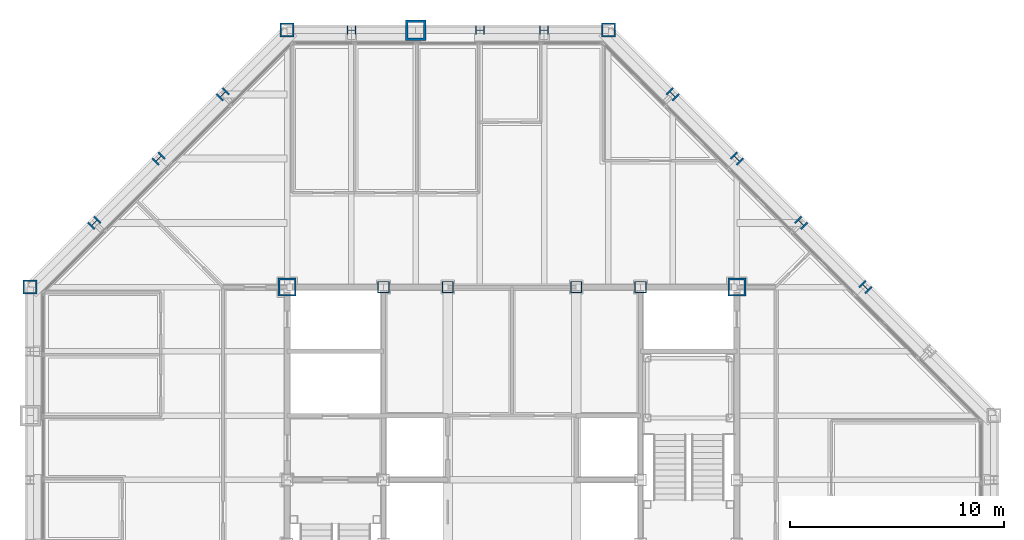
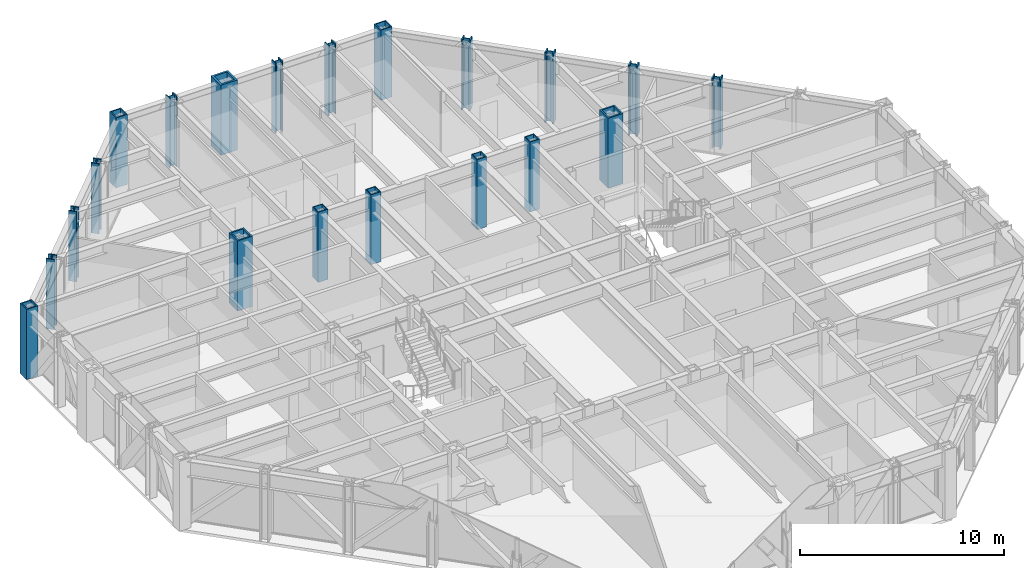
# One storey, part 4 of 16: 20 columns.
"""IFC4 building model written with IfcOpenShell, lengths in metres."""

from ifc_helpers import new_model, si_unit, direction, frame, origin, origin_2d, place, context, subcontext, project, spatial, hollow_rectangle, i_section, extrude, material, material_profile, profile_set, type_object, element, save


model = new_model("IFC4")

# Units and contexts
model_context = context("Model", 3, precision=1e-05, world=origin(), true_north=direction((0.0, 1.0)))
body_context = subcontext(model_context, "Body", "Model", "MODEL_VIEW")
ifc_project = project(units=[si_unit("LENGTHUNIT", "METRE"), si_unit("AREAUNIT", "SQUARE_METRE"), si_unit("VOLUMEUNIT", "CUBIC_METRE"), si_unit("PLANEANGLEUNIT", "RADIAN"), si_unit("MASSUNIT", "GRAM", prefix="KILO")], contexts=[model_context])

# Site, building, storey
site_placement = place(None, origin())
site = spatial("IfcSite", under=ifc_project, at=site_placement, CompositionType="ELEMENT")
building_placement = place(site_placement, origin())
building = spatial("IfcBuilding", under=site, at=building_placement, Name="Chuquiago Exchange Tower", CompositionType="ELEMENT")
storey_placement = place(building_placement, frame((0.0, 0.0, 239.10009765625)))
storey = spatial("IfcBuildingStorey", under=building, at=storey_placement, Name="L53", CompositionType="ELEMENT", Elevation=239.10009765625)

# Columns
ifc_material_1 = material(Name="Steel ASTM A992", Category="steel")
ifc_material_profile_1 = material_profile(ifc_material_1, i_section(OverallWidth=0.408935546875, OverallDepth=0.424072265625, WebThickness=0.03271484375, FlangeThickness=0.052490234375, at=origin_2d()), Name="W14X283")
ifc_profile_set_1 = profile_set([ifc_material_profile_1], Name="Steel ASTM A992")
column_type_1 = type_object("IfcColumnType", Name="C8 W14X283", PredefinedType="COLUMN", material=ifc_profile_set_1)
for number, where, z_axis, x_axis, name in (
    (1, (24.0, 45.0, 0.0), (0.0, 0.0, 1.0), (0.0, 1.0, 0.0), "COL-L53-24_45"),
    (2, (21.0, 45.0, 0.0), (0.0, 0.0, 1.0), (0.0, 1.0, 0.0), "COL-L53-21_45"),
    (3, (15.0, 45.0, 0.0), (0.0, 0.0, 1.0), (0.0, 1.0, 0.0), "COL-L53-15_45"),
):
    element("IfcColumn", number, at=place(storey_placement, frame(where, z_axis=z_axis, x_axis=x_axis)), inside=storey, type_object=column_type_1, Name=name, PredefinedType="COLUMN", context=body_context, shape_type="SweptSolid", body=[
        extrude(i_section(OverallWidth=0.408935546875, OverallDepth=0.424072265625, WebThickness=0.03271484375, FlangeThickness=0.052490234375, at=origin_2d()), origin(), (0.0, 0.0, 1.0), 4.199951171875),
    ])
ifc_material_2 = material(Name="Steel ASTM A572 Grade 50", Category="steel")
ifc_material_profile_2 = material_profile(ifc_material_2, hollow_rectangle(XDim=0.85009765625, YDim=0.85009765625, WallThickness=0.0849609375, at=origin_2d()), Name="BOX850X850X85")
ifc_profile_set_2 = profile_set([ifc_material_profile_2], Name="Steel ASTM A572 Grade 50")
column_type_2 = type_object("IfcColumnType", Name="CC6 BOX850X850X85", PredefinedType="COLUMN", material=ifc_profile_set_2)
for number, where, z_axis, x_axis, name in (
    (4, (12.0, 33.0, 0.0), (0.0, 0.0, 1.0), (1.0, 0.0, 0.0), "CCOL-L53-12_33"),
    (5, (33.0, 33.0, 0.0), (0.0, 0.0, 1.0), (1.0, 0.0, 0.0), "CCOL-L53-33_33"),
):
    element("IfcColumn", number, at=place(storey_placement, frame(where, z_axis=z_axis, x_axis=x_axis)), inside=storey, type_object=column_type_2, Name=name, PredefinedType="COLUMN", context=body_context, shape_type="SweptSolid", body=[
        extrude(hollow_rectangle(XDim=0.85009765625, YDim=0.85009765625, WallThickness=0.0849609375, at=origin_2d()), origin(), (0.0, 0.0, 1.0), 4.199951171875),
    ])
ifc_material_3 = material(Name="Steel ASTM A572 Grade 50", Category="steel")
ifc_material_profile_3 = material_profile(ifc_material_3, hollow_rectangle(XDim=0.550048828125, YDim=0.550048828125, WallThickness=0.044921875, at=origin_2d()), Name="BOX550X550X45")
ifc_profile_set_3 = profile_set([ifc_material_profile_3], Name="Steel ASTM A572 Grade 50")
column_type_3 = type_object("IfcColumnType", Name="CC8 BOX550X550X45", PredefinedType="COLUMN", material=ifc_profile_set_3)
for number, where, z_axis, x_axis, name in (
    (6, (16.5, 33.0, 0.0), (0.0, 0.0, 1.0), (1.0, 0.0, 0.0), "CCOL-L53-16.5_33"),
    (7, (19.5, 33.0, 0.0), (0.0, 0.0, 1.0), (1.0, 0.0, 0.0), "CCOL-L53-19.5_33"),
    (8, (25.5, 33.0, 0.0), (0.0, 0.0, 1.0), (1.0, 0.0, 0.0), "CCOL-L53-25.5_33"),
    (9, (28.5, 33.0, 0.0), (0.0, 0.0, 1.0), (1.0, 0.0, 0.0), "CCOL-L53-28.5_33"),
):
    element("IfcColumn", number, at=place(storey_placement, frame(where, z_axis=z_axis, x_axis=x_axis)), inside=storey, type_object=column_type_3, Name=name, PredefinedType="COLUMN", context=body_context, shape_type="SweptSolid", body=[
        extrude(hollow_rectangle(XDim=0.550048828125, YDim=0.550048828125, WallThickness=0.044921875, at=origin_2d()), origin(), (0.0, 0.0, 1.0), 4.199951171875),
    ])
ifc_material_4 = material(Name="Steel ASTM A992", Category="steel")
ifc_material_profile_4 = material_profile(ifc_material_4, i_section(OverallWidth=0.421630859375, OverallDepth=0.46484375, WebThickness=0.044921875, FlangeThickness=0.072509765625, at=origin_2d()), Name="W14X398")
ifc_profile_set_4 = profile_set([ifc_material_profile_4], Name="Steel ASTM A992")
column_type_4 = type_object("IfcColumnType", Name="CK7 W14X398", PredefinedType="COLUMN", material=ifc_profile_set_4)
for number, where, z_axis, x_axis, name in (
    (10, (39.0, 33.0, 0.0), (0.0, 0.0, 1.0), (0.707106781187, 0.707106781187, 0.0), "COL-L53-39_33"),
    (11, (36.0, 36.0, 0.0), (0.0, 0.0, 1.0), (0.707106781187, 0.707106781187, 0.0), "COL-L53-36_36"),
    (12, (33.0, 39.0, 0.0), (0.0, 0.0, 1.0), (0.707106781187, 0.707106781187, 0.0), "COL-L53-33_39"),
    (13, (30.0, 42.0, 0.0), (0.0, 0.0, 1.0), (0.707106781187, 0.707106781187, 0.0), "COL-L53-30_42"),
    (14, (9.0, 42.0, 0.0), (0.0, 0.0, 1.0), (-0.707106781187, 0.707106781187, 0.0), "COL-L53-9_42"),
    (15, (6.0, 39.0, 0.0), (0.0, 0.0, 1.0), (-0.707106781187, 0.707106781187, 0.0), "COL-L53-6_39"),
    (16, (3.0, 36.0, 0.0), (0.0, 0.0, 1.0), (-0.707106781187, 0.707106781187, 0.0), "COL-L53-3_36"),
):
    element("IfcColumn", number, at=place(storey_placement, frame(where, z_axis=z_axis, x_axis=x_axis)), inside=storey, type_object=column_type_4, Name=name, PredefinedType="COLUMN", context=body_context, shape_type="SweptSolid", body=[
        extrude(i_section(OverallWidth=0.421630859375, OverallDepth=0.46484375, WebThickness=0.044921875, FlangeThickness=0.072509765625, at=origin_2d()), origin(), (0.0, 0.0, 1.0), 4.199951171875),
    ])
ifc_material_5 = material(Name="Steel ASTM A572 Grade 50", Category="steel")
ifc_material_profile_5 = material_profile(ifc_material_5, hollow_rectangle(XDim=0.64990234375, YDim=0.64990234375, WallThickness=0.06494140625, at=origin_2d()), Name="BOX650X650X65")
ifc_profile_set_5 = profile_set([ifc_material_profile_5], Name="Steel ASTM A572 Grade 50")
column_type_5 = type_object("IfcColumnType", Name="CN2 BOX650X650X65", PredefinedType="COLUMN", material=ifc_profile_set_5)
for number, where, z_axis, x_axis, name in (
    (17, (27.0, 45.0, 0.0), (0.0, 0.0, 1.0), (0.0, 1.0, 0.0), "COL-L53-27_45"),
    (18, (12.0, 45.0, 0.0), (0.0, 0.0, 1.0), (0.0, 1.0, 0.0), "COL-L53-12_45"),
    (19, (0.0, 33.0, 0.0), (0.0, 0.0, 1.0), (-1.0, 0.0, 0.0), "COL-L53-0_33"),
):
    element("IfcColumn", number, at=place(storey_placement, frame(where, z_axis=z_axis, x_axis=x_axis)), inside=storey, type_object=column_type_5, Name=name, PredefinedType="COLUMN", context=body_context, shape_type="SweptSolid", body=[
        extrude(hollow_rectangle(XDim=0.64990234375, YDim=0.64990234375, WallThickness=0.06494140625, at=origin_2d()), origin(), (0.0, 0.0, 1.0), 4.199951171875),
    ])
ifc_material_6 = material(Name="Steel ASTM A572 Grade 42", Category="steel")
ifc_material_profile_6 = material_profile(ifc_material_6, hollow_rectangle(XDim=0.949951171875, YDim=0.949951171875, WallThickness=0.110107421875, at=origin_2d()), Name="BOX950X950X110")
ifc_profile_set_6 = profile_set([ifc_material_profile_6], Name="Steel ASTM A572 Grade 42")
column_type_6 = type_object("IfcColumnType", Name="CT1 BOX950X950X110", PredefinedType="COLUMN", material=ifc_profile_set_6)
column_placement = place(storey_placement, frame((18.0, 45.0, 0.0), z_axis=(0.0, 0.0, 1.0), x_axis=(0.0, 1.0, 0.0)))
element("IfcColumn", 20, at=column_placement, inside=storey, type_object=column_type_6, Name="COL-L53-18_45", PredefinedType="COLUMN", context=body_context, shape_type="SweptSolid", body=[
    extrude(hollow_rectangle(XDim=0.949951171875, YDim=0.949951171875, WallThickness=0.110107421875, at=origin_2d()), origin(), (0.0, 0.0, 1.0), 4.199951171875),
])

save(model, "model.ifc")
